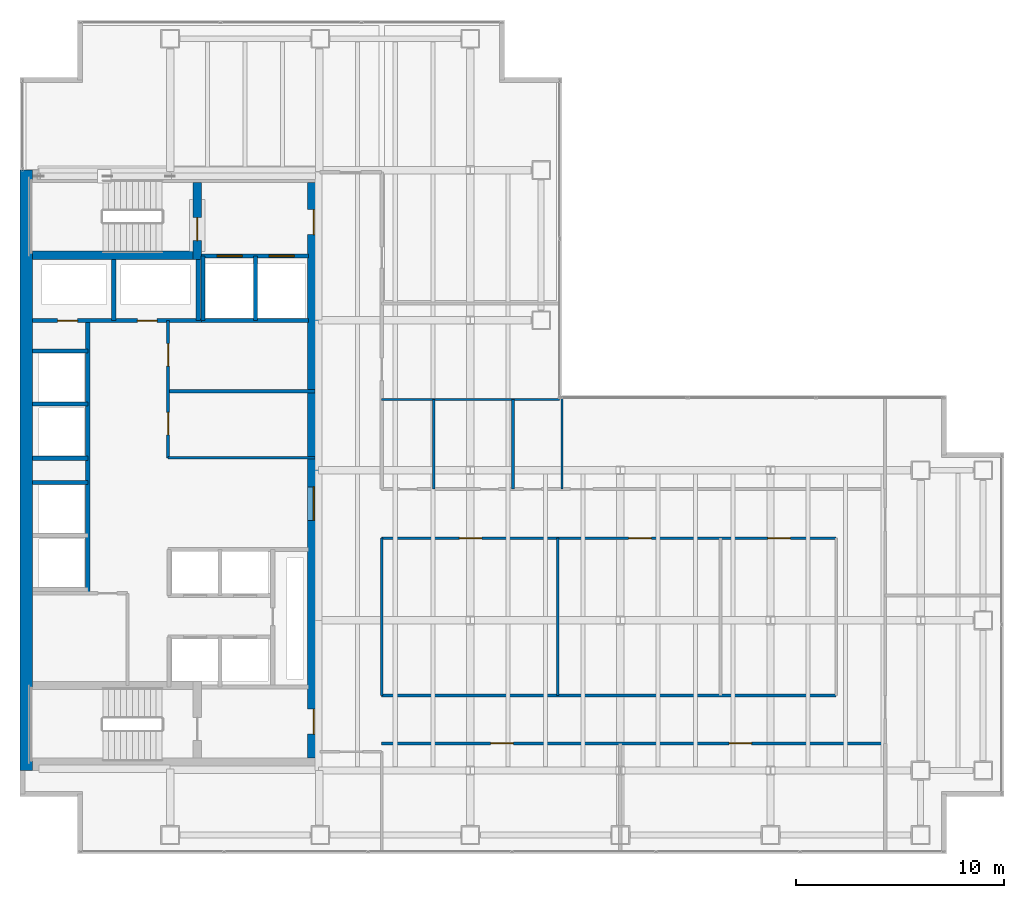
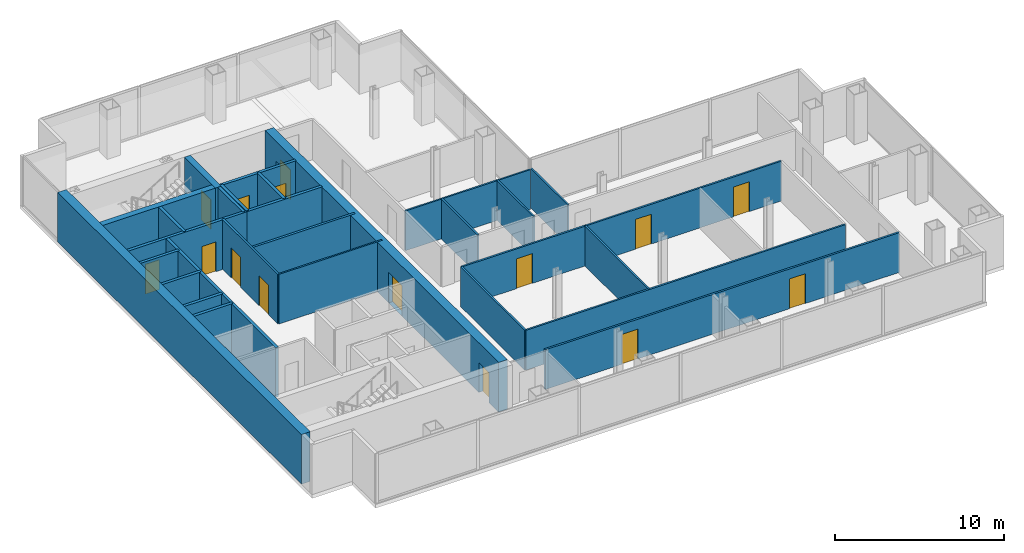
# One storey, part 21 of 23: 28 walls, 15 doors, 15 openings.
"""IFC4 building model written with IfcOpenShell, lengths in metres."""

import ifcopenshell
import ifcopenshell.guid

model = None  # the IFC model being written
_history = None  # IfcOwnerHistory: only IFC2X3 demands one
_inside = {}  # id of a spatial element -> (the spatial element, [elements in it])
_under = {}  # id of a project, library or spatial element -> (it, [spatial elements below it])
_declared = {}  # id of a project -> (the project, [libraries it declares])
_typed = {}  # id of a type object -> (the type object, [elements of that type])
_made_of = {}  # id of a material, layer set ... -> (it, [elements and type objects made of it])


def new_model(schema):
    """Start an empty IFC model of exactly this schema.

    Asked for "IFC4X3", IfcOpenShell would pick the latest addendum, in which some entities
    have other attributes; the version numbers below select the first issue.
    IFC2X3 requires an IfcOwnerHistory on every rooted entity: one is made here for all.
    """
    global model, _history
    if schema == "IFC4X3":
        model = ifcopenshell.file(schema_version=(4, 3, 0, 0))
    else:
        model = ifcopenshell.file(schema=schema)
    _inside.clear()
    _under.clear()
    _declared.clear()
    _typed.clear()
    _made_of.clear()
    _history = None
    if model.schema == "IFC2X3":
        org = make("IfcOrganization", Name="unknown")
        user = make(
            "IfcPersonAndOrganization",
            ThePerson=make("IfcPerson", FamilyName="unknown"),
            TheOrganization=org,
        )
        app = make(
            "IfcApplication",
            ApplicationDeveloper=org,
            Version="unknown",
            ApplicationFullName="unknown",
            ApplicationIdentifier="unknown",
        )
        _history = make(
            "IfcOwnerHistory",
            OwningUser=user,
            OwningApplication=app,
            ChangeAction="ADDED",
            CreationDate=0,
        )
    return model


def make(cls, **values):
    """One entity of the class cls with the attributes given. An attribute that is None is left unset."""
    return model.create_entity(
        cls, **{name: value for name, value in values.items() if value is not None}
    )


def rooted(cls, **values):
    """An entity with a GlobalId (a new one), such as an element, a storey or a relation."""
    return make(cls, GlobalId=ifcopenshell.guid.new(), OwnerHistory=_history, **values)


def si_unit(unit_type, name, prefix=None):
    """IfcSIUnit, for example si_unit("LENGTHUNIT", "METRE", prefix="MILLI")."""
    return make("IfcSIUnit", UnitType=unit_type, Prefix=prefix, Name=name)


def assignment(units):
    """IfcUnitAssignment: the units of a project."""
    return None if units is None else make("IfcUnitAssignment", Units=units)


def point(xyz):
    """IfcCartesianPoint."""
    return None if xyz is None else make("IfcCartesianPoint", Coordinates=xyz)


def direction(xyz):
    """IfcDirection."""
    return None if xyz is None else make("IfcDirection", DirectionRatios=xyz)


def frame(location, z_axis=None, x_axis=None):
    """IfcAxis2Placement3D, a coordinate frame: its origin and axes. An axis left out is left unset."""
    return make(
        "IfcAxis2Placement3D",
        Location=point(location),
        Axis=direction(z_axis),
        RefDirection=direction(x_axis),
    )


def frame_2d(location, x_axis=None):
    """IfcAxis2Placement2D, a coordinate frame in the plane: its origin and x axis."""
    return make(
        "IfcAxis2Placement2D", Location=point(location), RefDirection=direction(x_axis)
    )


def origin():
    """The frame at (0, 0, 0) with its axes left unset."""
    return frame((0.0, 0.0, 0.0))


def place(relative_to, where):
    """IfcLocalPlacement: puts the frame where relative to a parent placement (None: the world)."""
    return make(
        "IfcLocalPlacement", PlacementRelTo=relative_to, RelativePlacement=where
    )


def context(
    kind, dimensions, precision=None, world=None, true_north=None, identifier=None
):
    """IfcGeometricRepresentationContext, for example the 3D "Model" context."""
    return make(
        "IfcGeometricRepresentationContext",
        ContextIdentifier=identifier,
        ContextType=kind,
        CoordinateSpaceDimension=dimensions,
        Precision=precision,
        WorldCoordinateSystem=world,
        TrueNorth=true_north,
    )


def subcontext(parent, identifier, kind, view, scale=None):
    """IfcGeometricRepresentationSubContext, for example "Body" below "Model"."""
    return make(
        "IfcGeometricRepresentationSubContext",
        ContextIdentifier=identifier,
        ContextType=kind,
        ParentContext=parent,
        TargetScale=scale,
        TargetView=view,
    )


def project(units=None, contexts=None):
    """IfcProject with its units and contexts."""
    return rooted(
        "IfcProject",
        Name="project",
        RepresentationContexts=contexts,
        UnitsInContext=assignment(units),
    )


def spatial(cls, under=None, at=None, **own):
    """A site, building, storey or space (cls), placed at a placement, below another one or the project."""
    s = rooted(cls, ObjectPlacement=at, **own)
    if under is not None:
        _under.setdefault(under.id(), (under, []))[1].append(s)
    return s


def profile(cls, at=None, kind="AREA", **sizes):
    """A parametric profile (cls). Its sizes go by their IFC names, for example OverallWidth=200.0."""
    return make(cls, ProfileType=kind, Position=at, **sizes)


def rectangle(**sizes):
    """IfcRectangleProfileDef."""
    return profile("IfcRectangleProfileDef", **sizes)


def extrude(swept, where, along, depth):
    """IfcExtrudedAreaSolid: the profile swept, set in the frame where, extruded along a direction by depth."""
    return make(
        "IfcExtrudedAreaSolid",
        SweptArea=swept,
        Position=where,
        ExtrudedDirection=direction(along),
        Depth=depth,
    )


def shape(context_of_items, identifier, shape_type, items):
    """IfcShapeRepresentation: the items that make up one representation, for example the "Body"."""
    return make(
        "IfcShapeRepresentation",
        ContextOfItems=context_of_items,
        RepresentationIdentifier=identifier,
        RepresentationType=shape_type,
        Items=items,
    )


def material(Name=None, Category=None):
    """IfcMaterial."""
    return make("IfcMaterial", Name=Name, Category=Category)


def layer(
    of_material, thickness, ventilated=None, Name=None, Category=None, Priority=None
):
    """IfcMaterialLayer: one layer of a wall or slab, of a material (None: an air gap)."""
    return make(
        "IfcMaterialLayer",
        Material=of_material,
        LayerThickness=thickness,
        IsVentilated=ventilated,
        Name=Name,
        Category=Category,
        Priority=Priority,
    )


def layer_set(layers, Name=None):
    """IfcMaterialLayerSet."""
    return make("IfcMaterialLayerSet", MaterialLayers=layers, LayerSetName=Name)


def made_of(thing, what):
    """Note that an element or type object is made of a material, layer set ...; save() writes the relation."""
    if what is not None:
        _made_of.setdefault(what.id(), (what, []))[1].append(thing)
    return thing


def type_object(cls, material=None, **own):
    """A type object (cls), such as IfcWallType, which elements share."""
    return made_of(rooted(cls, **own), material)


def element(
    cls,
    number,
    at=None,
    inside=None,
    cuts=None,
    type_object=None,
    material=None,
    context=None,
    identifier="Body",
    shape_type=None,
    held_by="IfcProductDefinitionShape",
    body=None,
    shapes=None,
    **own,
):
    """One element of the class cls, such as IfcWall. Its Tag is "e" and its number.

    at: its placement. inside: the storey or other place that contains it. cuts: it is an
    opening in that element (IfcRelVoidsElement). A single representation is given by context,
    identifier, shape_type and body (its items); several are given by shapes. held_by: the class
    of the entity that holds the representations. save() writes the other relations.
    """
    e = rooted(cls, Tag="e%d" % number, ObjectPlacement=at, **own)
    if body is not None:
        shapes = [shape(context, identifier, shape_type, body)]
    if shapes is not None:
        e.Representation = make(held_by, Representations=shapes)
    if inside is not None:
        _inside.setdefault(inside.id(), (inside, []))[1].append(e)
    if cuts is not None:
        rooted(
            "IfcRelVoidsElement", RelatingBuildingElement=cuts, RelatedOpeningElement=e
        )
    if type_object is not None:
        _typed.setdefault(type_object.id(), (type_object, []))[1].append(e)
    return made_of(e, material)


def fill(opening, filler):
    """IfcRelFillsElement: the door or window that sits in an opening."""
    return rooted(
        "IfcRelFillsElement",
        RelatingOpeningElement=opening,
        RelatedBuildingElement=filler,
    )


def aggregate(whole, parts):
    """IfcRelAggregates: a whole, such as a stair, and the parts it consists of."""
    return rooted("IfcRelAggregates", RelatingObject=whole, RelatedObjects=parts)


def save(model, path):
    """Write the relations noted so far, then the file.

    IfcRelAggregates (storeys below a building ...), IfcRelContainedInSpatialStructure (elements
    in a storey), IfcRelDefinesByType, IfcRelAssociatesMaterial and IfcRelDeclares: one each for
    every whole, place, type object, material and project.
    """
    for whole, parts in _under.values():
        aggregate(whole, parts)
    for where, things in _inside.values():
        rooted(
            "IfcRelContainedInSpatialStructure",
            RelatedElements=things,
            RelatingStructure=where,
        )
    for kind, things in _typed.values():
        rooted("IfcRelDefinesByType", RelatedObjects=things, RelatingType=kind)
    for what, things in _made_of.values():
        rooted("IfcRelAssociatesMaterial", RelatedObjects=things, RelatingMaterial=what)
    for by, libraries in _declared.values():
        rooted("IfcRelDeclares", RelatingContext=by, RelatedDefinitions=libraries)
    model.write(path)


model = new_model("IFC4")

# Units and contexts
model_context = context("Model", 3, precision=1e-05, world=origin(), true_north=direction((0.0, 1.0)))
body_context = subcontext(model_context, "Body", "Model", "MODEL_VIEW")
ifc_project = project(units=[si_unit("LENGTHUNIT", "METRE"), si_unit("AREAUNIT", "SQUARE_METRE"), si_unit("VOLUMEUNIT", "CUBIC_METRE"), si_unit("PLANEANGLEUNIT", "RADIAN"), si_unit("MASSUNIT", "GRAM", prefix="KILO")], contexts=[model_context])

# Site, building, storey
site_placement = place(None, origin())
site = spatial("IfcSite", under=ifc_project, at=site_placement, CompositionType="ELEMENT")
building_placement = place(site_placement, origin())
building = spatial("IfcBuilding", under=site, at=building_placement, Name="Cobrela Telecom Tower", CompositionType="ELEMENT")
storey_placement = place(building_placement, frame((0.0, 0.0, 117.60009765625)))
storey = spatial("IfcBuildingStorey", under=building, at=storey_placement, Name="L29", CompositionType="ELEMENT", Elevation=117.60009765625)

# Wall
ifc_material_1 = material(Name="Concrete C50/60", Category="concrete")
ifc_layer_1 = layer(ifc_material_1, 0.60009765625)
ifc_layer_set_1 = layer_set([ifc_layer_1], Name="Concrete C50/60")
wall_type_1 = type_object("IfcWallType", Name="WALL-CORE-C50-600", PredefinedType="SHEAR", material=ifc_layer_set_1)
wall_1_placement = place(storey_placement, frame((0.300048828125, 7.199951171875, 0.0), z_axis=(0.0, 0.0, 1.0), x_axis=(0.0, 1.0, 0.0)))
element("IfcWall", 1, at=wall_1_placement, inside=storey, type_object=wall_type_1, Name="L29 West Core Shear Wall", PredefinedType="SHEAR", context=body_context, shape_type="SweptSolid", body=[
    extrude(rectangle(XDim=28.800048828125, YDim=0.60009765625, at=frame_2d((14.39990234375, 0.0))), origin(), (0.0, 0.0, 1.0), 3.579833984375),
])

# Wall, openings, doors
wall_2_placement = place(storey_placement, frame((14.10009765625, 35.39990234375, 0.0), z_axis=(0.0, 0.0, 1.0), x_axis=(0.0, -1.0, 0.0)))
wall_2 = element("IfcWall", 2, at=wall_2_placement, inside=storey, type_object=wall_type_1, Name="L29 East Core Shear Wall", PredefinedType="SHEAR", context=body_context, shape_type="SweptSolid", body=[
    extrude(rectangle(XDim=27.599853515625, YDim=0.60009765625, at=frame_2d((13.7998046875, 0.0))), origin(), (0.0, 0.0, 1.0), 3.579833984375),
])
opening_1_placement = place(wall_2_placement, frame((1.300048828125, 0.0, 0.0)))
opening_1 = element("IfcOpeningElement", 3, at=opening_1_placement, cuts=wall_2, Name="Opening DR-19", PredefinedType="OPENING", context=body_context, shape_type="SweptSolid", body=[
    extrude(rectangle(XDim=1.199951171875, YDim=2.14990234375, at=frame_2d((0.60009765625, 1.074951171875))), frame((0.0, 0.31201171875, 0.0), z_axis=(0.0, -1.0, 0.0), x_axis=(1.0, 0.0, 0.0)), (0.0, 0.0, 1.0), 0.6240234375),
])
opening_2_placement = place(wall_2_placement, frame((25.25, 0.0, 0.0)))
opening_2 = element("IfcOpeningElement", 4, at=opening_2_placement, cuts=wall_2, Name="Opening DR-19", PredefinedType="OPENING", context=body_context, shape_type="SweptSolid", body=[
    extrude(rectangle(XDim=1.199951171875, YDim=2.14990234375, at=frame_2d((0.60009765625, 1.074951171875))), frame((0.0, 0.31201171875, 0.0), z_axis=(0.0, -1.0, 0.0), x_axis=(1.0, 0.0, 0.0)), (0.0, 0.0, 1.0), 0.6240234375),
])
opening_3_placement = place(wall_2_placement, frame((14.60009765625, 0.0, 0.0)))
opening_3 = element("IfcOpeningElement", 5, at=opening_3_placement, cuts=wall_2, Name="Opening DR-51", PredefinedType="OPENING", context=body_context, shape_type="SweptSolid", body=[
    extrude(rectangle(XDim=1.60009765625, YDim=2.199951171875, at=frame_2d((0.800048828125, 1.10009765625))), frame((0.0, 0.31201171875, 0.0), z_axis=(0.0, -1.0, 0.0), x_axis=(1.0, 0.0, 0.0)), (0.0, 0.0, 1.0), 0.6240234375),
])
ifc_material_2 = material(Name="Steel ASTM A36", Category="steel")
door_type_1 = type_object("IfcDoorType", Name="DOOR-FD60-1200", OperationType="SINGLE_SWING_LEFT", PredefinedType="DOOR", material=ifc_material_2)
door_1_placement = place(opening_1_placement, origin())
door_1 = element("IfcDoor", 6, at=door_1_placement, inside=storey, type_object=door_type_1, Name="L29 Door DR-19", OperationType="SINGLE_SWING_LEFT", OverallHeight=2.14990234375, OverallWidth=1.199951171875, PredefinedType="DOOR", context=body_context, shape_type="SweptSolid", body=[
    extrude(rectangle(XDim=1.199951171875, YDim=2.14990234375, at=frame_2d((0.60009765625, 1.074951171875))), frame((0.0, 0.02490234375, 0.0), z_axis=(0.0, -1.0, 0.0), x_axis=(1.0, 0.0, 0.0)), (0.0, 0.0, 1.0), 0.050048828125),
])
fill(opening_1, door_1)
door_2_placement = place(opening_2_placement, origin())
door_2 = element("IfcDoor", 7, at=door_2_placement, inside=storey, type_object=door_type_1, Name="L29 Door DR-19", OperationType="SINGLE_SWING_RIGHT", OverallHeight=2.14990234375, OverallWidth=1.199951171875, PredefinedType="DOOR", context=body_context, shape_type="SweptSolid", body=[
    extrude(rectangle(XDim=1.199951171875, YDim=2.14990234375, at=frame_2d((0.60009765625, 1.074951171875))), frame((0.0, 0.02490234375, 0.0), z_axis=(0.0, -1.0, 0.0), x_axis=(1.0, 0.0, 0.0)), (0.0, 0.0, 1.0), 0.050048828125),
])
fill(opening_2, door_2)
door_type_2 = type_object("IfcDoorType", Name="DOOR-FD60-1600", OperationType="SINGLE_SWING_LEFT", PredefinedType="DOOR", material=ifc_material_2)
door_3_placement = place(opening_3_placement, origin())
door_3 = element("IfcDoor", 8, at=door_3_placement, inside=storey, type_object=door_type_2, Name="L29 Door DR-51", OperationType="DOUBLE_DOOR_SINGLE_SWING", OverallHeight=2.199951171875, OverallWidth=1.60009765625, PredefinedType="DOOR", context=body_context, shape_type="SweptSolid", body=[
    extrude(rectangle(XDim=1.60009765625, YDim=2.199951171875, at=frame_2d((0.800048828125, 1.10009765625))), frame((0.0, 0.02490234375, 0.0), z_axis=(0.0, -1.0, 0.0), x_axis=(1.0, 0.0, 0.0)), (0.0, 0.0, 1.0), 0.050048828125),
])
fill(opening_3, door_3)

# Walls
ifc_material_3 = material(Name="Fire-Rated Gypsum Plasterboard")
ifc_layer_2 = layer(ifc_material_3, 0.110107421875)
ifc_layer_set_2 = layer_set([ifc_layer_2], Name="Fire-Rated Gypsum Plasterboard")
wall_type_2 = type_object("IfcWallType", Name="WALL-PART-110", PredefinedType="PARTITIONING", material=ifc_layer_set_2)
wall_3_placement = place(storey_placement, frame((7.10009765625, 22.199951171875, 0.0), z_axis=(0.0, 0.0, 1.0), x_axis=(1.0, 0.0, 0.0)))
element("IfcWall", 9, at=wall_3_placement, inside=storey, type_object=wall_type_2, Name="L29 Interior Partition CW-RECL-S", PredefinedType="PARTITIONING", context=body_context, shape_type="SweptSolid", body=[
    extrude(rectangle(XDim=7.0498046875, YDim=0.110107421875, at=frame_2d((3.52490234375, 0.0))), origin(), (0.0, 0.0, 1.0), 3.579833984375),
])
wall_4_placement = place(storey_placement, frame((17.35009765625, 25.0, 0.0), z_axis=(0.0, 0.0, 1.0), x_axis=(1.0, 0.0, 0.0)))
element("IfcWall", 10, at=wall_4_placement, inside=storey, type_object=wall_type_2, Name="L29 Interior Partition W-WC-N", PredefinedType="PARTITIONING", context=body_context, shape_type="SweptSolid", body=[
    extrude(rectangle(XDim=8.52978515625, YDim=0.110107421875, at=frame_2d((4.264892578125, 0.0))), origin(), (0.0, 0.0, 1.0), 2.868896484375),
])
wall_5_placement = place(storey_placement, frame((26.0, 20.699951171875, 0.0), z_axis=(0.0, 0.0, 1.0), x_axis=(0.0, 1.0, 0.0)))
element("IfcWall", 11, at=wall_5_placement, inside=storey, type_object=wall_type_2, Name="L29 Interior Partition W-UEN-W", PredefinedType="PARTITIONING", context=body_context, shape_type="SweptSolid", body=[
    extrude(rectangle(XDim=4.380126953125, YDim=0.110107421875, at=frame_2d((2.18994140625, 0.0))), origin(), (0.0, 0.0, 1.0), 2.868896484375),
])
ifc_layer_3 = layer(ifc_material_3, 0.125)
ifc_layer_set_3 = layer_set([ifc_layer_3], Name="Fire-Rated Gypsum Plasterboard")
wall_type_3 = type_object("IfcWallType", Name="WALL-PART-125", PredefinedType="PARTITIONING", material=ifc_layer_set_3)
wall_6_placement = place(storey_placement, frame((17.35009765625, 10.800048828125, 0.0), z_axis=(0.0, 0.0, 1.0), x_axis=(0.0, 1.0, 0.0)))
element("IfcWall", 12, at=wall_6_placement, inside=storey, type_object=wall_type_3, Name="L29 Interior Partition W-ISL-W", PredefinedType="PARTITIONING", context=body_context, shape_type="SweptSolid", body=[
    extrude(rectangle(XDim=7.550048828125, YDim=0.125, at=frame_2d((3.77490234375, 0.0))), origin(), (0.0, 0.0, 1.0), 2.868896484375),
])
wall_7_placement = place(storey_placement, frame((17.35009765625, 10.800048828125, 0.0), z_axis=(0.0, 0.0, 1.0), x_axis=(1.0, 0.0, 0.0)))
element("IfcWall", 13, at=wall_7_placement, inside=storey, type_object=wall_type_3, Name="L29 Interior Partition W-ISL-S", PredefinedType="PARTITIONING", context=body_context, shape_type="SweptSolid", body=[
    extrude(rectangle(XDim=21.7998046875, YDim=0.125, at=frame_2d((10.89990234375, 0.0))), origin(), (0.0, 0.0, 1.0), 2.868896484375),
])

# Wall, openings, doors
wall_8_placement = place(storey_placement, frame((17.35009765625, 18.35009765625, 0.0), z_axis=(0.0, 0.0, 1.0), x_axis=(1.0, 0.0, 0.0)))
wall_8 = element("IfcWall", 14, at=wall_8_placement, inside=storey, type_object=wall_type_3, Name="L29 Interior Partition W-ISL-N", PredefinedType="PARTITIONING", context=body_context, shape_type="SweptSolid", body=[
    extrude(rectangle(XDim=21.7998046875, YDim=0.125, at=frame_2d((10.89990234375, 0.0))), origin(), (0.0, 0.0, 1.0), 2.868896484375),
])
opening_4_placement = place(wall_8_placement, frame((3.72998046875, 0.0, 0.0)))
opening_4 = element("IfcOpeningElement", 15, at=opening_4_placement, cuts=wall_8, Name="Opening DR-63", PredefinedType="OPENING", context=body_context, shape_type="SweptSolid", body=[
    extrude(rectangle(XDim=1.080078125, YDim=2.14990234375, at=frame_2d((0.5400390625, 1.074951171875))), frame((0.0, 0.074462890625, 0.0), z_axis=(0.0, -1.0, 0.0), x_axis=(1.0, 0.0, 0.0)), (0.0, 0.0, 1.0), 0.14892578125),
])
opening_5_placement = place(wall_8_placement, frame((11.85009765625, 0.0, 0.0)))
opening_5 = element("IfcOpeningElement", 16, at=opening_5_placement, cuts=wall_8, Name="Opening DR-63", PredefinedType="OPENING", context=body_context, shape_type="SweptSolid", body=[
    extrude(rectangle(XDim=1.080078125, YDim=2.14990234375, at=frame_2d((0.5400390625, 1.074951171875))), frame((0.0, 0.074462890625, 0.0), z_axis=(0.0, -1.0, 0.0), x_axis=(1.0, 0.0, 0.0)), (0.0, 0.0, 1.0), 0.14892578125),
])
opening_6_placement = place(wall_8_placement, frame((18.52001953125, 0.0, 0.0)))
opening_6 = element("IfcOpeningElement", 17, at=opening_6_placement, cuts=wall_8, Name="Opening DR-63", PredefinedType="OPENING", context=body_context, shape_type="SweptSolid", body=[
    extrude(rectangle(XDim=1.080078125, YDim=2.14990234375, at=frame_2d((0.5400390625, 1.074951171875))), frame((0.0, 0.074462890625, 0.0), z_axis=(0.0, -1.0, 0.0), x_axis=(1.0, 0.0, 0.0)), (0.0, 0.0, 1.0), 0.14892578125),
])
ifc_material_4 = material(Name="Solid Engineered Oak Timber", Category="wood")
door_type_3 = type_object("IfcDoorType", Name="DOOR-INT-1080", OperationType="SINGLE_SWING_LEFT", PredefinedType="DOOR", material=ifc_material_4)
door_4_placement = place(opening_4_placement, origin())
door_4 = element("IfcDoor", 18, at=door_4_placement, inside=storey, type_object=door_type_3, Name="L29 Door DR-63", OperationType="SINGLE_SWING_LEFT", OverallHeight=2.14990234375, OverallWidth=1.080078125, PredefinedType="DOOR", context=body_context, shape_type="SweptSolid", body=[
    extrude(rectangle(XDim=1.080078125, YDim=2.14990234375, at=frame_2d((0.5400390625, 1.074951171875))), frame((0.0, 0.02490234375, 0.0), z_axis=(0.0, -1.0, 0.0), x_axis=(1.0, 0.0, 0.0)), (0.0, 0.0, 1.0), 0.050048828125),
])
fill(opening_4, door_4)
door_5_placement = place(opening_5_placement, origin())
door_5 = element("IfcDoor", 19, at=door_5_placement, inside=storey, type_object=door_type_3, Name="L29 Door DR-63", OperationType="SINGLE_SWING_RIGHT", OverallHeight=2.14990234375, OverallWidth=1.080078125, PredefinedType="DOOR", context=body_context, shape_type="SweptSolid", body=[
    extrude(rectangle(XDim=1.080078125, YDim=2.14990234375, at=frame_2d((0.5400390625, 1.074951171875))), frame((0.0, 0.02490234375, 0.0), z_axis=(0.0, -1.0, 0.0), x_axis=(1.0, 0.0, 0.0)), (0.0, 0.0, 1.0), 0.050048828125),
])
fill(opening_5, door_5)
door_6_placement = place(opening_6_placement, origin())
door_6 = element("IfcDoor", 20, at=door_6_placement, inside=storey, type_object=door_type_3, Name="L29 Door DR-63", OperationType="SINGLE_SWING_LEFT", OverallHeight=2.14990234375, OverallWidth=1.080078125, PredefinedType="DOOR", context=body_context, shape_type="SweptSolid", body=[
    extrude(rectangle(XDim=1.080078125, YDim=2.14990234375, at=frame_2d((0.5400390625, 1.074951171875))), frame((0.0, 0.02490234375, 0.0), z_axis=(0.0, -1.0, 0.0), x_axis=(1.0, 0.0, 0.0)), (0.0, 0.0, 1.0), 0.050048828125),
])
fill(opening_6, door_6)

# Walls
wall_9_placement = place(storey_placement, frame((25.800048828125, 10.800048828125, 0.0), z_axis=(0.0, 0.0, 1.0), x_axis=(0.0, 1.0, 0.0)))
element("IfcWall", 21, at=wall_9_placement, inside=storey, type_object=wall_type_3, Name="L29 Interior Partition W-ISLV-1", PredefinedType="PARTITIONING", context=body_context, shape_type="SweptSolid", body=[
    extrude(rectangle(XDim=7.550048828125, YDim=0.125, at=frame_2d((3.77490234375, 0.0))), origin(), (0.0, 0.0, 1.0), 2.868896484375),
])
for number, where, z_axis, x_axis, name in (
    (22, (19.85009765625, 20.699951171875, 0.0), (0.0, 0.0, 1.0), (0.0, 1.0, 0.0), "L29 Interior Partition W-WC-V1"),
    (23, (23.64990234375, 20.699951171875, 0.0), (0.0, 0.0, 1.0), (0.0, 1.0, 0.0), "L29 Interior Partition W-WC-V2"),
):
    element("IfcWall", number, at=place(storey_placement, frame(where, z_axis=z_axis, x_axis=x_axis)), inside=storey, type_object=wall_type_3, Name=name, PredefinedType="PARTITIONING", context=body_context, shape_type="SweptSolid", body=[
        extrude(rectangle(XDim=4.300048828125, YDim=0.125, at=frame_2d((2.14990234375, 0.0))), origin(), (0.0, 0.0, 1.0), 2.868896484375),
    ])

# Wall, openings, doors
ifc_layer_4 = layer(ifc_material_3, 0.135009765625)
ifc_layer_set_4 = layer_set([ifc_layer_4], Name="Fire-Rated Gypsum Plasterboard")
wall_type_4 = type_object("IfcWallType", Name="WALL-PART-135", PredefinedType="PARTITIONING", material=ifc_layer_set_4)
wall_10_placement = place(storey_placement, frame((7.10009765625, 22.199951171875, 0.0), z_axis=(0.0, 0.0, 1.0), x_axis=(0.0, 1.0, 0.0)))
wall_10 = element("IfcWall", 24, at=wall_10_placement, inside=storey, type_object=wall_type_4, Name="L29 Interior Partition CW-RECL-W", PredefinedType="PARTITIONING", context=body_context, shape_type="SweptSolid", body=[
    extrude(rectangle(XDim=6.580078125, YDim=0.135009765625, at=frame_2d((3.2900390625, 0.0))), origin(), (0.0, 0.0, 1.0), 3.579833984375),
])
opening_7_placement = place(wall_10_placement, frame((1.10009765625, 0.0, 0.0)))
opening_7 = element("IfcOpeningElement", 25, at=opening_7_placement, cuts=wall_10, Name="Opening DR-63", PredefinedType="OPENING", context=body_context, shape_type="SweptSolid", body=[
    extrude(rectangle(XDim=1.080078125, YDim=2.14990234375, at=frame_2d((0.5400390625, 1.074951171875))), frame((0.0, 0.07958984375, 0.0), z_axis=(0.0, -1.0, 0.0), x_axis=(1.0, 0.0, 0.0)), (0.0, 0.0, 1.0), 0.158935546875),
])
opening_8_placement = place(wall_10_placement, frame((4.39990234375, 0.0, 0.0)))
opening_8 = element("IfcOpeningElement", 26, at=opening_8_placement, cuts=wall_10, Name="Opening DR-63", PredefinedType="OPENING", context=body_context, shape_type="SweptSolid", body=[
    extrude(rectangle(XDim=1.080078125, YDim=2.14990234375, at=frame_2d((0.5400390625, 1.074951171875))), frame((0.0, 0.07958984375, 0.0), z_axis=(0.0, -1.0, 0.0), x_axis=(1.0, 0.0, 0.0)), (0.0, 0.0, 1.0), 0.158935546875),
])
door_7_placement = place(opening_7_placement, origin())
door_7 = element("IfcDoor", 27, at=door_7_placement, inside=storey, type_object=door_type_3, Name="L29 Door DR-63", OperationType="SINGLE_SWING_RIGHT", OverallHeight=2.14990234375, OverallWidth=1.080078125, PredefinedType="DOOR", context=body_context, shape_type="SweptSolid", body=[
    extrude(rectangle(XDim=1.080078125, YDim=2.14990234375, at=frame_2d((0.5400390625, 1.074951171875))), frame((0.0, 0.02490234375, 0.0), z_axis=(0.0, -1.0, 0.0), x_axis=(1.0, 0.0, 0.0)), (0.0, 0.0, 1.0), 0.050048828125),
])
fill(opening_7, door_7)
door_8_placement = place(opening_8_placement, origin())
door_8 = element("IfcDoor", 28, at=door_8_placement, inside=storey, type_object=door_type_3, Name="L29 Door DR-63", OperationType="SINGLE_SWING_LEFT", OverallHeight=2.14990234375, OverallWidth=1.080078125, PredefinedType="DOOR", context=body_context, shape_type="SweptSolid", body=[
    extrude(rectangle(XDim=1.080078125, YDim=2.14990234375, at=frame_2d((0.5400390625, 1.074951171875))), frame((0.0, 0.02490234375, 0.0), z_axis=(0.0, -1.0, 0.0), x_axis=(1.0, 0.0, 0.0)), (0.0, 0.0, 1.0), 0.050048828125),
])
fill(opening_8, door_8)

wall_11_placement = place(storey_placement, frame((17.35009765625, 8.5, 0.0), z_axis=(0.0, 0.0, 1.0), x_axis=(1.0, 0.0, 0.0)))
wall_11 = element("IfcWall", 29, at=wall_11_placement, inside=storey, type_object=wall_type_4, Name="L29 Interior Partition W-US-S", PredefinedType="PARTITIONING", context=body_context, shape_type="SweptSolid", body=[
    extrude(rectangle(XDim=24.14990234375, YDim=0.135009765625, at=frame_2d((12.074951171875, 0.0))), origin(), (0.0, 0.0, 1.0), 2.868896484375),
])
opening_9_placement = place(wall_11_placement, frame((5.22998046875, 0.0, 0.0)))
opening_9 = element("IfcOpeningElement", 30, at=opening_9_placement, cuts=wall_11, Name="Opening DR-63", PredefinedType="OPENING", context=body_context, shape_type="SweptSolid", body=[
    extrude(rectangle(XDim=1.080078125, YDim=2.14990234375, at=frame_2d((0.5400390625, 1.074951171875))), frame((0.0, 0.07958984375, 0.0), z_axis=(0.0, -1.0, 0.0), x_axis=(1.0, 0.0, 0.0)), (0.0, 0.0, 1.0), 0.158935546875),
])
opening_10_placement = place(wall_11_placement, frame((16.659912109375, 0.0, 0.0)))
opening_10 = element("IfcOpeningElement", 31, at=opening_10_placement, cuts=wall_11, Name="Opening DR-63", PredefinedType="OPENING", context=body_context, shape_type="SweptSolid", body=[
    extrude(rectangle(XDim=1.080078125, YDim=2.14990234375, at=frame_2d((0.5400390625, 1.074951171875))), frame((0.0, 0.07958984375, 0.0), z_axis=(0.0, -1.0, 0.0), x_axis=(1.0, 0.0, 0.0)), (0.0, 0.0, 1.0), 0.158935546875),
])
door_9_placement = place(opening_9_placement, origin())
door_9 = element("IfcDoor", 32, at=door_9_placement, inside=storey, type_object=door_type_3, Name="L29 Door DR-63", OperationType="SINGLE_SWING_LEFT", OverallHeight=2.14990234375, OverallWidth=1.080078125, PredefinedType="DOOR", context=body_context, shape_type="SweptSolid", body=[
    extrude(rectangle(XDim=1.080078125, YDim=2.14990234375, at=frame_2d((0.5400390625, 1.074951171875))), frame((0.0, 0.02490234375, 0.0), z_axis=(0.0, -1.0, 0.0), x_axis=(1.0, 0.0, 0.0)), (0.0, 0.0, 1.0), 0.050048828125),
])
fill(opening_9, door_9)
door_10_placement = place(opening_10_placement, origin())
door_10 = element("IfcDoor", 33, at=door_10_placement, inside=storey, type_object=door_type_3, Name="L29 Door DR-63", OperationType="SINGLE_SWING_RIGHT", OverallHeight=2.14990234375, OverallWidth=1.080078125, PredefinedType="DOOR", context=body_context, shape_type="SweptSolid", body=[
    extrude(rectangle(XDim=1.080078125, YDim=2.14990234375, at=frame_2d((0.5400390625, 1.074951171875))), frame((0.0, 0.02490234375, 0.0), z_axis=(0.0, -1.0, 0.0), x_axis=(1.0, 0.0, 0.0)), (0.0, 0.0, 1.0), 0.050048828125),
])
fill(opening_10, door_10)

# Wall
ifc_layer_5 = layer(ifc_material_3, 0.159912109375)
ifc_layer_set_5 = layer_set([ifc_layer_5], Name="Fire-Rated Gypsum Plasterboard")
wall_type_5 = type_object("IfcWallType", Name="WALL-PART-160", PredefinedType="PARTITIONING", material=ifc_layer_set_5)
wall_12_placement = place(storey_placement, frame((7.10009765625, 25.39990234375, 0.0), z_axis=(0.0, 0.0, 1.0), x_axis=(1.0, 0.0, 0.0)))
element("IfcWall", 34, at=wall_12_placement, inside=storey, type_object=wall_type_5, Name="L29 Interior Partition CW-RECL-H", PredefinedType="PARTITIONING", context=body_context, shape_type="SweptSolid", body=[
    extrude(rectangle(XDim=7.0498046875, YDim=0.159912109375, at=frame_2d((3.52490234375, 0.0))), origin(), (0.0, 0.0, 1.0), 3.579833984375),
])

# Wall, openings, doors
ifc_layer_6 = layer(ifc_material_3, 0.199951171875)
ifc_layer_set_6 = layer_set([ifc_layer_6], Name="Fire-Rated Gypsum Plasterboard")
wall_type_6 = type_object("IfcWallType", Name="WALL-SHAFT-200", PredefinedType="PARTITIONING", material=ifc_layer_set_6)
wall_13_placement = place(storey_placement, frame((8.699951171875, 31.8798828125, 0.0), z_axis=(0.0, 0.0, 1.0), x_axis=(1.0, 0.0, 0.0)))
wall_13 = element("IfcWall", 35, at=wall_13_placement, inside=storey, type_object=wall_type_6, Name="L29 Shaft Enclosure CW-FFL-S", PredefinedType="PARTITIONING", context=body_context, shape_type="SweptSolid", body=[
    extrude(rectangle(XDim=5.150146484375, YDim=0.199951171875, at=frame_2d((2.5751953125, 0.0))), origin(), (0.0, 0.0, 1.0), 3.579833984375),
])
opening_11_placement = place(wall_13_placement, frame((0.75, 0.0, 0.0)))
opening_11 = element("IfcOpeningElement", 36, at=opening_11_placement, cuts=wall_13, Name="Opening LD-2", PredefinedType="OPENING", context=body_context, shape_type="SweptSolid", body=[
    extrude(rectangle(XDim=1.199951171875, YDim=2.199951171875, at=frame_2d((0.60009765625, 1.10009765625))), frame((0.0, 0.11181640625, 0.0), z_axis=(0.0, -1.0, 0.0), x_axis=(1.0, 0.0, 0.0)), (0.0, 0.0, 1.0), 0.223876953125),
])
opening_12_placement = place(wall_13_placement, frame((3.25, 0.0, 0.0)))
opening_12 = element("IfcOpeningElement", 37, at=opening_12_placement, cuts=wall_13, Name="Opening LD-2", PredefinedType="OPENING", context=body_context, shape_type="SweptSolid", body=[
    extrude(rectangle(XDim=1.199951171875, YDim=2.199951171875, at=frame_2d((0.60009765625, 1.10009765625))), frame((0.0, 0.11181640625, 0.0), z_axis=(0.0, -1.0, 0.0), x_axis=(1.0, 0.0, 0.0)), (0.0, 0.0, 1.0), 0.223876953125),
])
door_type_4 = type_object("IfcDoorType", Name="DOOR-LD-FFL", OperationType="SINGLE_SWING_LEFT", PredefinedType="DOOR", material=ifc_material_2)
door_11_placement = place(opening_11_placement, origin())
door_11 = element("IfcDoor", 38, at=door_11_placement, inside=storey, type_object=door_type_4, Name="L29 Lift Landing Door LD-2", OperationType="DOUBLE_DOOR_SLIDING", OverallHeight=2.199951171875, OverallWidth=1.199951171875, PredefinedType="DOOR", context=body_context, shape_type="SweptSolid", body=[
    extrude(rectangle(XDim=1.199951171875, YDim=2.199951171875, at=frame_2d((0.60009765625, 1.10009765625))), frame((0.0, 0.02490234375, 0.0), z_axis=(0.0, -1.0, 0.0), x_axis=(1.0, 0.0, 0.0)), (0.0, 0.0, 1.0), 0.050048828125),
])
fill(opening_11, door_11)
door_12_placement = place(opening_12_placement, origin())
door_12 = element("IfcDoor", 39, at=door_12_placement, inside=storey, type_object=door_type_4, Name="L29 Lift Landing Door LD-2", OperationType="DOUBLE_DOOR_SLIDING", OverallHeight=2.199951171875, OverallWidth=1.199951171875, PredefinedType="DOOR", context=body_context, shape_type="SweptSolid", body=[
    extrude(rectangle(XDim=1.199951171875, YDim=2.199951171875, at=frame_2d((0.60009765625, 1.10009765625))), frame((0.0, 0.02490234375, 0.0), z_axis=(0.0, -1.0, 0.0), x_axis=(1.0, 0.0, 0.0)), (0.0, 0.0, 1.0), 0.050048828125),
])
fill(opening_12, door_12)

# Walls
wall_14_placement = place(storey_placement, frame((8.699951171875, 28.780029296875, 0.0), z_axis=(0.0, 0.0, 1.0), x_axis=(1.0, 0.0, 0.0)))
element("IfcWall", 40, at=wall_14_placement, inside=storey, type_object=wall_type_6, Name="L29 Shaft Enclosure CW-FFL-S2", PredefinedType="PARTITIONING", context=body_context, shape_type="SweptSolid", body=[
    extrude(rectangle(XDim=5.150146484375, YDim=0.199951171875, at=frame_2d((2.5751953125, 0.0))), origin(), (0.0, 0.0, 1.0), 3.579833984375),
])
for number, where, z_axis, x_axis, name in (
    (41, (8.780029296875, 28.780029296875, 0.0), (0.0, 0.0, 1.0), (0.0, 1.0, 0.0), "L29 Shaft Enclosure CW-FFL-W"),
    (42, (11.300048828125, 28.780029296875, 0.0), (0.0, 0.0, 1.0), (0.0, 1.0, 0.0), "L29 Shaft Enclosure CW-FFL-M"),
):
    element("IfcWall", number, at=place(storey_placement, frame(where, z_axis=z_axis, x_axis=x_axis)), inside=storey, type_object=wall_type_6, Name=name, PredefinedType="PARTITIONING", context=body_context, shape_type="SweptSolid", body=[
        extrude(rectangle(XDim=3.099853515625, YDim=0.199951171875, at=frame_2d((1.5498046875, 0.0))), origin(), (0.0, 0.0, 1.0), 3.579833984375),
    ])

# Wall, openings, doors
wall_15_placement = place(storey_placement, frame((0.60009765625, 28.780029296875, 0.0), z_axis=(0.0, 0.0, 1.0), x_axis=(1.0, 0.0, 0.0)))
wall_15 = element("IfcWall", 43, at=wall_15_placement, inside=storey, type_object=wall_type_6, Name="L29 Shaft Enclosure CW-RIS-S", PredefinedType="PARTITIONING", context=body_context, shape_type="SweptSolid", body=[
    extrude(rectangle(XDim=8.179931640625, YDim=0.199951171875, at=frame_2d((4.08984375, 0.0))), origin(), (0.0, 0.0, 1.0), 3.579833984375),
])
opening_13_placement = place(wall_15_placement, frame((1.2099609375, 0.0, 0.0)))
opening_13 = element("IfcOpeningElement", 44, at=opening_13_placement, cuts=wall_15, Name="Opening DR-65", PredefinedType="OPENING", context=body_context, shape_type="SweptSolid", body=[
    extrude(rectangle(XDim=0.949951171875, YDim=2.14990234375, at=frame_2d((0.47509765625, 1.074951171875))), frame((0.0, 0.11181640625, 0.0), z_axis=(0.0, -1.0, 0.0), x_axis=(1.0, 0.0, 0.0)), (0.0, 0.0, 1.0), 0.223876953125),
])
opening_14_placement = place(wall_15_placement, frame((5.030029296875, 0.0, 0.0)))
opening_14 = element("IfcOpeningElement", 45, at=opening_14_placement, cuts=wall_15, Name="Opening DR-65", PredefinedType="OPENING", context=body_context, shape_type="SweptSolid", body=[
    extrude(rectangle(XDim=0.949951171875, YDim=2.14990234375, at=frame_2d((0.47509765625, 1.074951171875))), frame((0.0, 0.11181640625, 0.0), z_axis=(0.0, -1.0, 0.0), x_axis=(1.0, 0.0, 0.0)), (0.0, 0.0, 1.0), 0.223876953125),
])
door_type_5 = type_object("IfcDoorType", Name="DOOR-FD60-950", OperationType="SINGLE_SWING_LEFT", PredefinedType="DOOR", material=ifc_material_2)
door_13_placement = place(opening_13_placement, origin())
door_13 = element("IfcDoor", 46, at=door_13_placement, inside=storey, type_object=door_type_5, Name="L29 Door DR-65", OperationType="SINGLE_SWING_LEFT", OverallHeight=2.14990234375, OverallWidth=0.949951171875, PredefinedType="DOOR", context=body_context, shape_type="SweptSolid", body=[
    extrude(rectangle(XDim=0.949951171875, YDim=2.14990234375, at=frame_2d((0.47509765625, 1.074951171875))), frame((0.0, 0.02490234375, 0.0), z_axis=(0.0, -1.0, 0.0), x_axis=(1.0, 0.0, 0.0)), (0.0, 0.0, 1.0), 0.050048828125),
])
fill(opening_13, door_13)
door_14_placement = place(opening_14_placement, origin())
door_14 = element("IfcDoor", 47, at=door_14_placement, inside=storey, type_object=door_type_5, Name="L29 Door DR-65", OperationType="SINGLE_SWING_RIGHT", OverallHeight=2.14990234375, OverallWidth=0.949951171875, PredefinedType="DOOR", context=body_context, shape_type="SweptSolid", body=[
    extrude(rectangle(XDim=0.949951171875, YDim=2.14990234375, at=frame_2d((0.47509765625, 1.074951171875))), frame((0.0, 0.02490234375, 0.0), z_axis=(0.0, -1.0, 0.0), x_axis=(1.0, 0.0, 0.0)), (0.0, 0.0, 1.0), 0.050048828125),
])
fill(opening_14, door_14)

# Walls
for number, where, z_axis, x_axis, name in (
    (48, (4.5, 28.780029296875, 0.0), (0.0, 0.0, 1.0), (0.0, 1.0, 0.0), "L29 Shaft Enclosure CW-RIS-M"),
    (49, (8.550048828125, 28.780029296875, 0.0), (0.0, 0.0, 1.0), (0.0, 1.0, 0.0), "L29 Shaft Enclosure CW-RIS-E"),
):
    element("IfcWall", number, at=place(storey_placement, frame(where, z_axis=z_axis, x_axis=x_axis)), inside=storey, type_object=wall_type_6, Name=name, PredefinedType="PARTITIONING", context=body_context, shape_type="SweptSolid", body=[
        extrude(rectangle(XDim=2.93994140625, YDim=0.199951171875, at=frame_2d((1.469970703125, 0.0))), origin(), (0.0, 0.0, 1.0), 3.579833984375),
    ])
wall_16_placement = place(storey_placement, frame((3.25, 15.699951171875, 0.0), z_axis=(0.0, 0.0, 1.0), x_axis=(0.0, 1.0, 0.0)))
element("IfcWall", 50, at=wall_16_placement, inside=storey, type_object=wall_type_6, Name="L29 Shaft Enclosure CW-PLH-E", PredefinedType="PARTITIONING", context=body_context, shape_type="SweptSolid", body=[
    extrude(rectangle(XDim=13.080078125, YDim=0.199951171875, at=frame_2d((6.5400390625, 0.0))), origin(), (0.0, 0.0, 1.0), 3.579833984375),
])
for number, where, z_axis, x_axis, name in (
    (51, (0.60009765625, 22.179931640625, 0.0), (0.0, 0.0, 1.0), (1.0, 0.0, 0.0), "L29 Shaft Enclosure CW-PLH-D11"),
    (52, (0.60009765625, 24.780029296875, 0.0), (0.0, 0.0, 1.0), (1.0, 0.0, 0.0), "L29 Shaft Enclosure CW-PLH-D12"),
    (53, (0.60009765625, 21.02001953125, 0.0), (0.0, 0.0, 1.0), (1.0, 0.0, 0.0), "L29 Shaft Enclosure CW-PLH-MID"),
    (54, (0.60009765625, 27.320068359375, 0.0), (0.0, 0.0, 1.0), (1.0, 0.0, 0.0), "L29 Shaft Enclosure CW-PLH-TOP"),
):
    element("IfcWall", number, at=place(storey_placement, frame(where, z_axis=z_axis, x_axis=x_axis)), inside=storey, type_object=wall_type_6, Name=name, PredefinedType="PARTITIONING", context=body_context, shape_type="SweptSolid", body=[
        extrude(rectangle(XDim=2.64990234375, YDim=0.199951171875, at=frame_2d((1.324951171875, 0.0))), origin(), (0.0, 0.0, 1.0), 3.579833984375),
    ])
ifc_material_5 = material(Name="Concrete C40/50", Category="concrete")
ifc_layer_7 = layer(ifc_material_5, 0.39990234375)
ifc_layer_set_7 = layer_set([ifc_layer_7], Name="Concrete C40/50")
wall_type_7 = type_object("IfcWallType", Name="WALL-SHAFT-C40-400", PredefinedType="SHEAR", material=ifc_layer_set_7)
wall_17_placement = place(storey_placement, frame((0.60009765625, 31.919921875, 0.0), z_axis=(0.0, 0.0, 1.0), x_axis=(1.0, 0.0, 0.0)))
element("IfcWall", 55, at=wall_17_placement, inside=storey, type_object=wall_type_7, Name="L29 North Stair Shear Wall", PredefinedType="SHEAR", context=body_context, shape_type="SweptSolid", body=[
    extrude(rectangle(XDim=7.699951171875, YDim=0.39990234375, at=frame_2d((3.85009765625, 0.0))), origin(), (0.0, 0.0, 1.0), 3.579833984375),
])

# Wall, opening, door
wall_18_placement = place(storey_placement, frame((8.5, 31.719970703125, 0.0), z_axis=(0.0, 0.0, 1.0), x_axis=(0.0, 1.0, 0.0)))
wall_18 = element("IfcWall", 56, at=wall_18_placement, inside=storey, type_object=wall_type_7, Name="L29 North Stair Lobby Shear Wall", PredefinedType="SHEAR", context=body_context, shape_type="SweptSolid", body=[
    extrude(rectangle(XDim=3.679931640625, YDim=0.39990234375, at=frame_2d((1.83984375, 0.0))), origin(), (0.0, 0.0, 1.0), 3.579833984375),
])
opening_15_placement = place(wall_18_placement, frame((0.89990234375, 0.0, 0.0)))
opening_15 = element("IfcOpeningElement", 57, at=opening_15_placement, cuts=wall_18, Name="Opening DR-59", PredefinedType="OPENING", context=body_context, shape_type="SweptSolid", body=[
    extrude(rectangle(XDim=1.10009765625, YDim=2.14990234375, at=frame_2d((0.550048828125, 1.074951171875))), frame((0.0, 0.2119140625, 0.0), z_axis=(0.0, -1.0, 0.0), x_axis=(1.0, 0.0, 0.0)), (0.0, 0.0, 1.0), 0.423828125),
])
door_type_6 = type_object("IfcDoorType", Name="DOOR-FD60-1100", OperationType="SINGLE_SWING_LEFT", PredefinedType="DOOR", material=ifc_material_2)
door_15_placement = place(opening_15_placement, origin())
door_15 = element("IfcDoor", 58, at=door_15_placement, inside=storey, type_object=door_type_6, Name="L29 Door DR-59", OperationType="SINGLE_SWING_RIGHT", OverallHeight=2.14990234375, OverallWidth=1.10009765625, PredefinedType="DOOR", context=body_context, shape_type="SweptSolid", body=[
    extrude(rectangle(XDim=1.10009765625, YDim=2.14990234375, at=frame_2d((0.550048828125, 1.074951171875))), frame((0.0, 0.02490234375, 0.0), z_axis=(0.0, -1.0, 0.0), x_axis=(1.0, 0.0, 0.0)), (0.0, 0.0, 1.0), 0.050048828125),
])
fill(opening_15, door_15)

save(model, "model.ifc")
